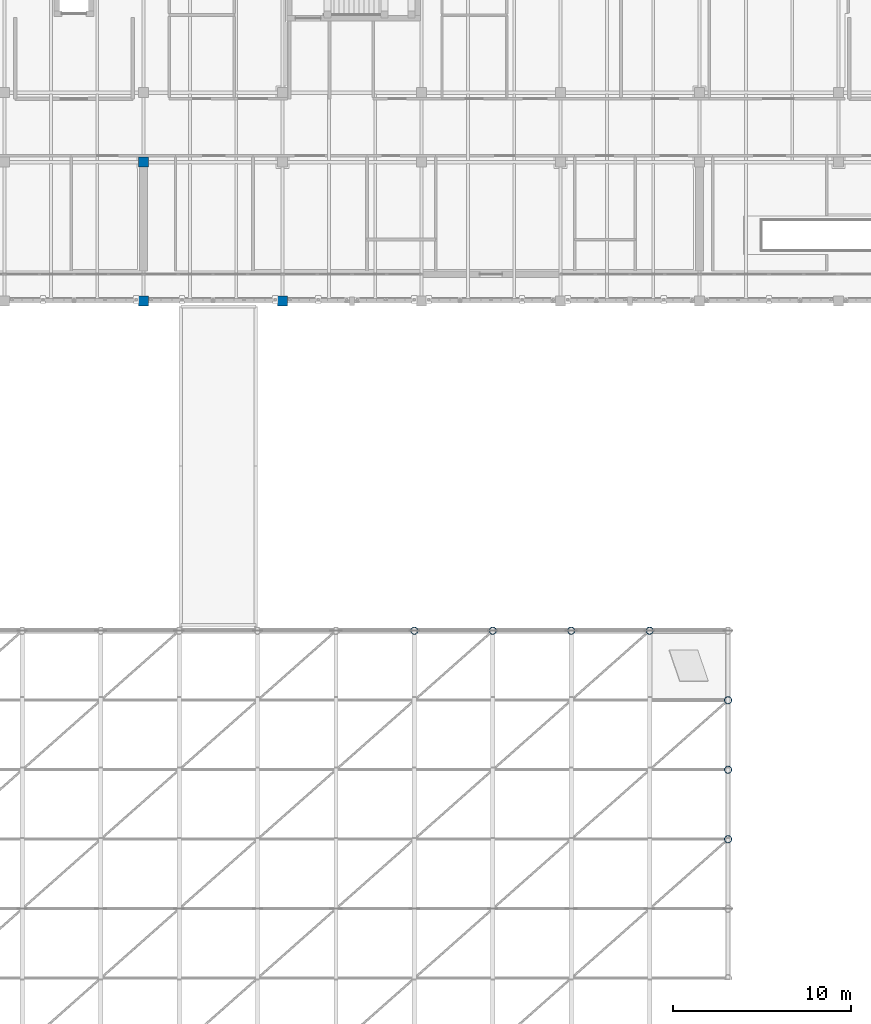
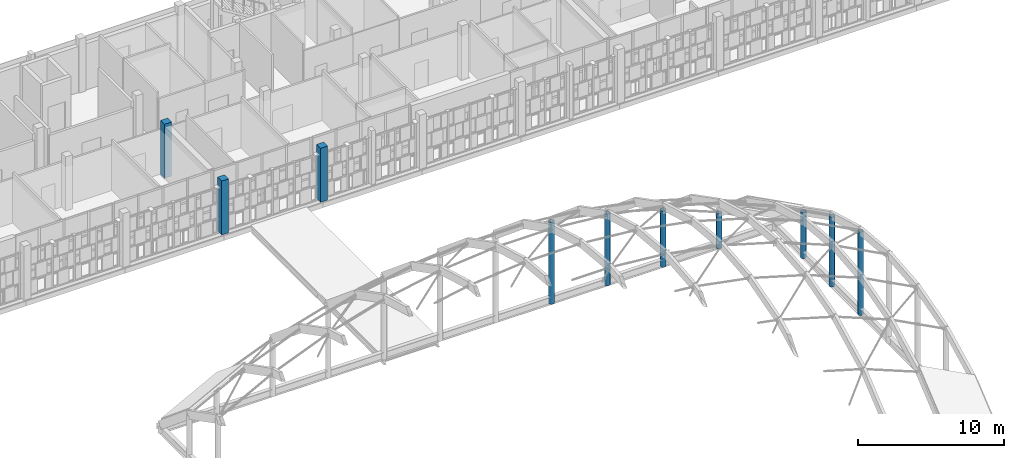
# One storey, part 9 of 119: 10 columns.
"""IFC4 building model written with IfcOpenShell, lengths in metres."""

from ifc_helpers import new_model, si_unit, direction, frame, origin, origin_2d, place, context, subcontext, project, spatial, rectangle, hollow_circle, extrude, material, material_profile, profile_set, type_object, element, save


model = new_model("IFC4")

# Units and contexts
model_context = context("Model", 3, precision=1e-05, world=origin(), true_north=direction((0.0, 1.0)))
body_context = subcontext(model_context, "Body", "Model", "MODEL_VIEW")
ifc_project = project(units=[si_unit("LENGTHUNIT", "METRE"), si_unit("AREAUNIT", "SQUARE_METRE"), si_unit("VOLUMEUNIT", "CUBIC_METRE"), si_unit("PLANEANGLEUNIT", "RADIAN"), si_unit("MASSUNIT", "GRAM", prefix="KILO")], contexts=[model_context])

# Site, building, storey
site_placement = place(None, origin())
site = spatial("IfcSite", under=ifc_project, at=site_placement, CompositionType="ELEMENT")
building_placement = place(site_placement, origin())
building = spatial("IfcBuilding", under=site, at=building_placement, Name="Celorna Specialist Clinic", CompositionType="ELEMENT")
storey_placement = place(building_placement, frame((0.0, 0.0, 9.60009765625)))
storey = spatial("IfcBuildingStorey", under=building, at=storey_placement, Name="L02", CompositionType="ELEMENT", Elevation=9.60009765625)

# Columns
ifc_material_1 = material(Name="Concrete C35/45", Category="concrete")
ifc_material_profile_1 = material_profile(ifc_material_1, rectangle(XDim=0.550048828125, YDim=0.550048828125, at=origin_2d()), Name="RC 550x550")
ifc_profile_set_1 = profile_set([ifc_material_profile_1], Name="Concrete C35/45")
column_type_1 = type_object("IfcColumnType", Name="CT-05", PredefinedType="COLUMN", material=ifc_profile_set_1)
for number, where, z_axis, x_axis, name in (
    (1, (70.199951171875, 96.5, 0.0), (0.0, 0.0, 1.0), (1.0, 0.0, 0.0), "Column CT-05 L02 X10/YR"),
    (2, (70.199951171875, 104.300048828125, 0.0), (0.0, 0.0, 1.0), (1.0, 0.0, 0.0), "Column CT-05 L02 X10/YS"),
    (3, (78.0, 96.5, 0.0), (0.0, 0.0, 1.0), (1.0, 0.0, 0.0), "Column CT-05 L02 X11/YR"),
):
    element("IfcColumn", number, at=place(storey_placement, frame(where, z_axis=z_axis, x_axis=x_axis)), inside=storey, type_object=column_type_1, Name=name, PredefinedType="COLUMN", context=body_context, shape_type="SweptSolid", body=[
        extrude(rectangle(XDim=0.550048828125, YDim=0.550048828125, at=origin_2d()), origin(), (0.0, 0.0, 1.0), 4.5),
    ])
ifc_material_2 = material(Name="Steel S355", Category="steel")
ifc_material_profile_2 = material_profile(ifc_material_2, hollow_circle(Radius=0.203125, WallThickness=0.01611328125, at=origin_2d()), Name="CHS 406.4x16")
ifc_profile_set_2 = profile_set([ifc_material_profile_2], Name="Steel S355")
column_type_2 = type_object("IfcColumnType", Name="CT-12", PredefinedType="COLUMN", material=ifc_profile_set_2)
column_1_placement = place(storey_placement, frame((85.39990234375, 78.0, 0.0), z_axis=(0.0, 0.0, 1.0), x_axis=(1.0, 0.0, 0.0)))
element("IfcColumn", 4, at=column_1_placement, inside=storey, type_object=column_type_2, Name="Column CT-12 L02 X12/YP", PredefinedType="COLUMN", context=body_context, shape_type="SweptSolid", body=[
    extrude(hollow_circle(Radius=0.203125, WallThickness=0.01611328125, at=origin_2d()), origin(), (0.0, 0.0, 1.0), 6.830078125),
])
column_2_placement = place(storey_placement, frame((89.800048828125, 78.0, 0.0), z_axis=(0.0, 0.0, 1.0), x_axis=(1.0, 0.0, 0.0)))
element("IfcColumn", 5, at=column_2_placement, inside=storey, type_object=column_type_2, Name="Column CT-12 L02 X13/YP", PredefinedType="COLUMN", context=body_context, shape_type="SweptSolid", body=[
    extrude(hollow_circle(Radius=0.203125, WallThickness=0.01611328125, at=origin_2d()), origin(), (0.0, 0.0, 1.0), 5.991943359375),
])
column_3_placement = place(storey_placement, frame((94.199951171875, 78.0, 0.0), z_axis=(0.0, 0.0, 1.0), x_axis=(1.0, 0.0, 0.0)))
element("IfcColumn", 6, at=column_3_placement, inside=storey, type_object=column_type_2, Name="Column CT-12 L02 X13/YP", PredefinedType="COLUMN", context=body_context, shape_type="SweptSolid", body=[
    extrude(hollow_circle(Radius=0.203125, WallThickness=0.01611328125, at=origin_2d()), origin(), (0.0, 0.0, 1.0), 4.705322265625),
])
column_4_placement = place(storey_placement, frame((98.60009765625, 78.0, 0.0), z_axis=(0.0, 0.0, 1.0), x_axis=(1.0, 0.0, 0.0)))
element("IfcColumn", 7, at=column_4_placement, inside=storey, type_object=column_type_2, Name="Column CT-12 L02 X14/YP", PredefinedType="COLUMN", context=body_context, shape_type="SweptSolid", body=[
    extrude(hollow_circle(Radius=0.203125, WallThickness=0.01611328125, at=origin_2d()), origin(), (0.0, 0.0, 1.0), 2.929443359375),
])
column_5_placement = place(storey_placement, frame((103.0, 66.300048828125, 0.0), z_axis=(0.0, 0.0, 1.0), x_axis=(1.0, 0.0, 0.0)))
element("IfcColumn", 8, at=column_5_placement, inside=storey, type_object=column_type_2, Name="Column CT-12 L02 X14A/YM", PredefinedType="COLUMN", context=body_context, shape_type="SweptSolid", body=[
    extrude(hollow_circle(Radius=0.203125, WallThickness=0.01611328125, at=origin_2d()), origin(), (0.0, 0.0, 1.0), 6.9482421875),
])
column_6_placement = place(storey_placement, frame((103.0, 70.199951171875, 0.0), z_axis=(0.0, 0.0, 1.0), x_axis=(1.0, 0.0, 0.0)))
element("IfcColumn", 9, at=column_6_placement, inside=storey, type_object=column_type_2, Name="Column CT-12 L02 X14A/YN", PredefinedType="COLUMN", context=body_context, shape_type="SweptSolid", body=[
    extrude(hollow_circle(Radius=0.203125, WallThickness=0.01611328125, at=origin_2d()), origin(), (0.0, 0.0, 1.0), 5.840087890625),
])
column_7_placement = place(storey_placement, frame((103.0, 74.10009765625, 0.0), z_axis=(0.0, 0.0, 1.0), x_axis=(1.0, 0.0, 0.0)))
element("IfcColumn", 10, at=column_7_placement, inside=storey, type_object=column_type_2, Name="Column CT-12 L02 X14A/YN", PredefinedType="COLUMN", context=body_context, shape_type="SweptSolid", body=[
    extrude(hollow_circle(Radius=0.203125, WallThickness=0.01611328125, at=origin_2d()), origin(), (0.0, 0.0, 1.0), 3.8427734375),
])

save(model, "model.ifc")
